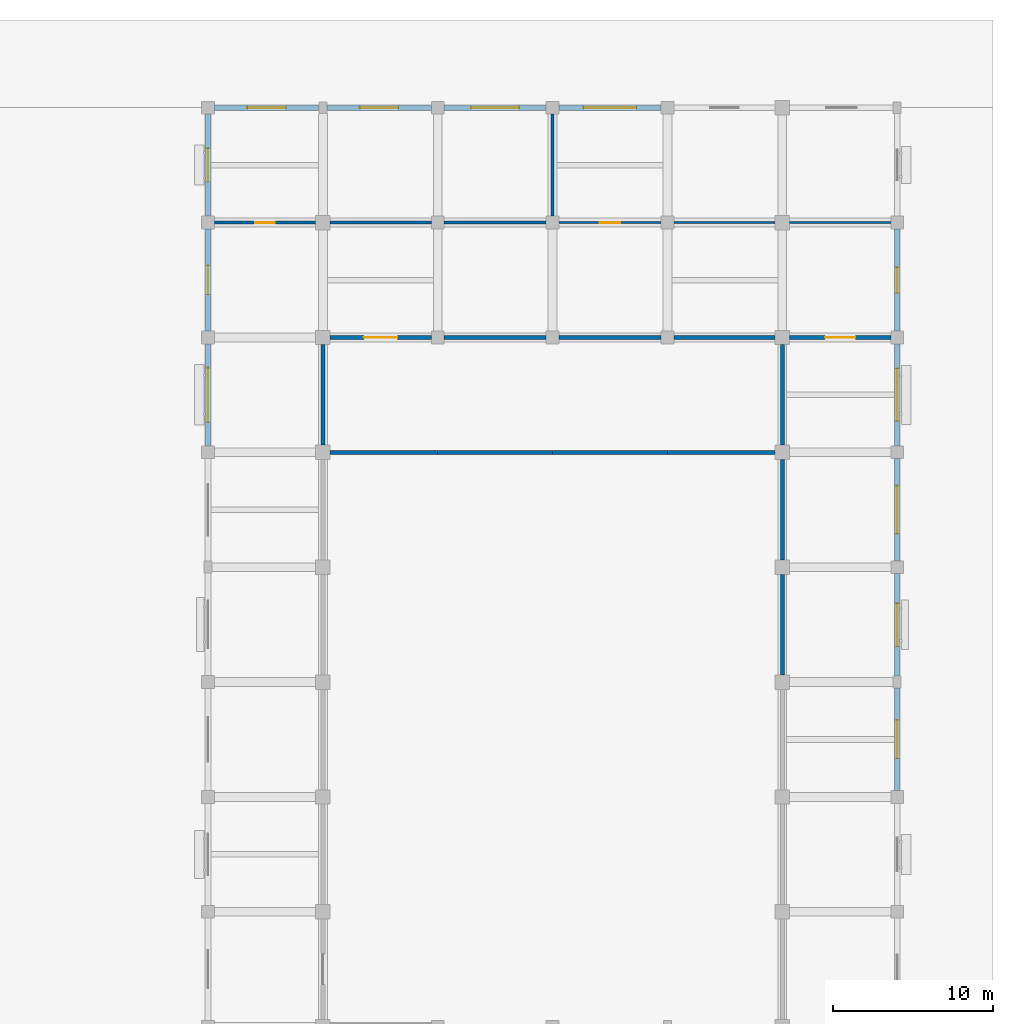
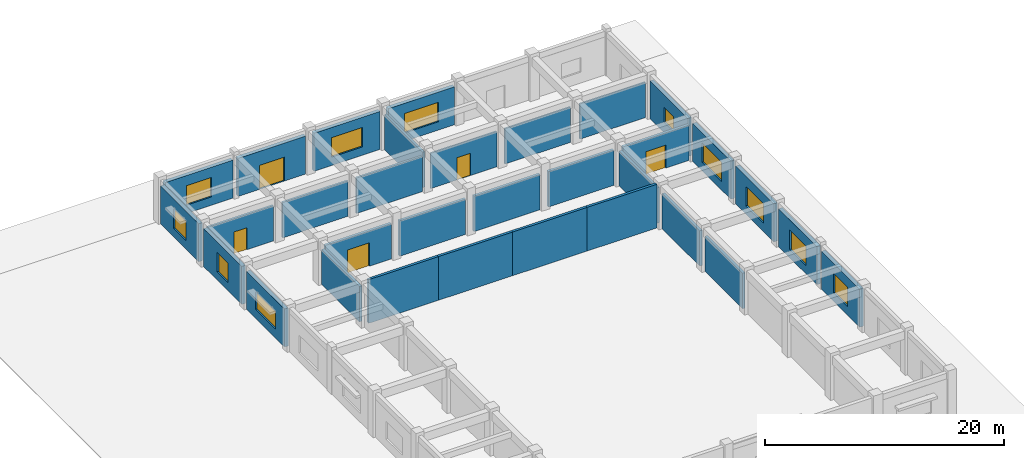
# One storey, part 20 of 37: 32 walls, 11 windows, 5 doors, 16 openings.
"""IFC4 building model written with IfcOpenShell, lengths in metres."""

from ifc_helpers import new_model, si_unit, direction, frame, frame_2d, origin, place, context, subcontext, project, spatial, rectangle, extrude, material, layer, layer_set, type_object, element, fill, save


model = new_model("IFC4")

# Units and contexts
model_context = context("Model", 3, precision=1e-05, world=origin(), true_north=direction((0.0, 1.0)))
body_context = subcontext(model_context, "Body", "Model", "MODEL_VIEW")
ifc_project = project(units=[si_unit("LENGTHUNIT", "METRE"), si_unit("AREAUNIT", "SQUARE_METRE"), si_unit("VOLUMEUNIT", "CUBIC_METRE"), si_unit("PLANEANGLEUNIT", "RADIAN"), si_unit("MASSUNIT", "GRAM", prefix="KILO")], contexts=[model_context])

# Site, building, storey
site_placement = place(None, origin())
site = spatial("IfcSite", under=ifc_project, at=site_placement, CompositionType="ELEMENT")
building_placement = place(site_placement, origin())
building = spatial("IfcBuilding", under=site, at=building_placement, Name="Cendaluz Park School", CompositionType="ELEMENT")
storey_placement = place(building_placement, origin())
storey = spatial("IfcBuildingStorey", under=building, at=storey_placement, Name="L00", CompositionType="ELEMENT", Elevation=0.0)

# Wall, opening, door
ifc_material_1 = material(Name="Gypsum Plasterboard on Cold-Formed Stud", Category="gypsum")
ifc_layer_1 = layer(ifc_material_1, 0.199951171875)
ifc_layer_set_1 = layer_set([ifc_layer_1], Name="Gypsum Plasterboard on Cold-Formed Stud")
wall_type_1 = type_object("IfcWallType", Name="W-AC20", PredefinedType="PARTITIONING", material=ifc_layer_set_1)
wall_1_placement = place(storey_placement, frame((130.0, 108.0, 0.0), z_axis=(0.0, 0.0, 1.0), x_axis=(1.0, 0.0, 0.0)))
wall_1 = element("IfcWall", 1, at=wall_1_placement, inside=storey, type_object=wall_type_1, Name="WL-FA-CC5", PredefinedType="PARTITIONING", context=body_context, shape_type="SweptSolid", body=[
    extrude(rectangle(XDim=6.35009765625, YDim=0.199951171875, at=frame_2d((3.175048828125, 0.0))), origin(), (0.0, 0.0, 1.0), 3.6201171875),
])
opening_1_placement = place(wall_1_placement, frame((2.554931640625, 0.0, 0.0)))
opening_1 = element("IfcOpeningElement", 2, at=opening_1_placement, cuts=wall_1, Name="Opening DCL-09", PredefinedType="OPENING", context=body_context, shape_type="SweptSolid", body=[
    extrude(rectangle(XDim=1.239990234375, YDim=2.260009765625, at=frame_2d((0.6201171875, 1.1298828125))), frame((0.0, 0.112060546875, 0.0), z_axis=(0.0, -1.0, 0.0), x_axis=(1.0, 0.0, 0.0)), (0.0, 0.0, 1.0), 0.223876953125),
])
ifc_material_2 = material(Name="Solid Core Hardwood", Category="wood")
door_type_1 = type_object("IfcDoorType", Name="DCL-09", OperationType="NOTDEFINED", PredefinedType="DOOR", material=ifc_material_2)
door_1_placement = place(opening_1_placement, origin())
door_1 = element("IfcDoor", 3, at=door_1_placement, inside=storey, type_object=door_type_1, Name="D-L00-071", OperationType="SINGLE_SWING_RIGHT", OverallHeight=2.260009765625, OverallWidth=1.239990234375, PredefinedType="DOOR", context=body_context, shape_type="SweptSolid", body=[
    extrude(rectangle(XDim=1.239990234375, YDim=2.260009765625, at=frame_2d((0.6201171875, 1.1298828125))), frame((0.0, 0.02490234375, 0.0), z_axis=(0.0, -1.0, 0.0), x_axis=(1.0, 0.0, 0.0)), (0.0, 0.0, 1.0), 0.050048828125),
])
fill(opening_1, door_1)

# Walls
wall_2_placement = place(storey_placement, frame((137.25, 108.0, 0.0), z_axis=(0.0, 0.0, 1.0), x_axis=(1.0, 0.0, 0.0)))
element("IfcWall", 4, at=wall_2_placement, inside=storey, type_object=wall_type_1, Name="WL-FA-CC6", PredefinedType="PARTITIONING", context=body_context, shape_type="SweptSolid", body=[
    extrude(rectangle(XDim=6.35009765625, YDim=0.199951171875, at=frame_2d((3.175048828125, 0.0))), origin(), (0.0, 0.0, 1.0), 3.6201171875),
])
for number, where, z_axis, x_axis, name in (
    (5, (144.39990234375, 108.0, 0.0), (0.0, 0.0, 1.0), (1.0, 0.0, 0.0), "WL-FA-CC7"),
    (6, (151.199951171875, 108.39990234375, 0.0), (0.0, 0.0, 1.0), (0.0, 1.0, 0.0), "WL-FA-CC8"),
):
    element("IfcWall", number, at=place(storey_placement, frame(where, z_axis=z_axis, x_axis=x_axis)), inside=storey, type_object=wall_type_1, Name=name, PredefinedType="PARTITIONING", context=body_context, shape_type="SweptSolid", body=[
        extrude(rectangle(XDim=6.400146484375, YDim=0.199951171875, at=frame_2d((3.2001953125, 0.0))), origin(), (0.0, 0.0, 1.0), 3.6201171875),
    ])
ifc_layer_2 = layer(ifc_material_1, 0.25)
ifc_layer_set_2 = layer_set([ifc_layer_2], Name="Gypsum Plasterboard on Cold-Formed Stud")
wall_type_2 = type_object("IfcWallType", Name="W-CP25", PredefinedType="PARTITIONING", material=ifc_layer_set_2)
wall_3_placement = place(storey_placement, frame((137.25, 93.60009765625, 0.0), z_axis=(0.0, 0.0, 1.0), x_axis=(1.0, 0.0, 0.0)))
element("IfcWall", 7, at=wall_3_placement, inside=storey, type_object=wall_type_2, Name="WL-FA-CA8", PredefinedType="PARTITIONING", context=body_context, shape_type="SweptSolid", body=[
    extrude(rectangle(XDim=6.75, YDim=0.25, at=frame_2d((3.375, 0.0))), origin(), (0.0, 0.0, 1.0), 4.469970703125),
])
for number, where, z_axis, x_axis, name in (
    (8, (144.0, 93.60009765625, 0.0), (0.0, 0.0, 1.0), (1.0, 0.0, 0.0), "WL-FA-CB0"),
    (9, (151.199951171875, 93.60009765625, 0.0), (0.0, 0.0, 1.0), (1.0, 0.0, 0.0), "WL-FA-CB1"),
):
    element("IfcWall", number, at=place(storey_placement, frame(where, z_axis=z_axis, x_axis=x_axis)), inside=storey, type_object=wall_type_2, Name=name, PredefinedType="PARTITIONING", context=body_context, shape_type="SweptSolid", body=[
        extrude(rectangle(XDim=7.199951171875, YDim=0.25, at=frame_2d((3.60009765625, 0.0))), origin(), (0.0, 0.0, 1.0), 4.469970703125),
    ])
wall_4_placement = place(storey_placement, frame((165.60009765625, 79.64990234375, 0.0), z_axis=(0.0, 0.0, 1.0), x_axis=(0.0, 1.0, 0.0)))
element("IfcWall", 10, at=wall_4_placement, inside=storey, type_object=wall_type_2, Name="WL-FA-CB5", PredefinedType="PARTITIONING", context=body_context, shape_type="SweptSolid", body=[
    extrude(rectangle(XDim=6.300048828125, YDim=0.25, at=frame_2d((3.14990234375, 0.0))), origin(), (0.0, 0.0, 1.0), 3.6201171875),
])
wall_5_placement = place(storey_placement, frame((158.39990234375, 93.60009765625, 0.0), z_axis=(0.0, 0.0, 1.0), x_axis=(1.0, 0.0, 0.0)))
element("IfcWall", 11, at=wall_5_placement, inside=storey, type_object=wall_type_2, Name="WL-FA-CB6", PredefinedType="PARTITIONING", context=body_context, shape_type="SweptSolid", body=[
    extrude(rectangle(XDim=6.75, YDim=0.25, at=frame_2d((3.375, 0.0))), origin(), (0.0, 0.0, 1.0), 4.469970703125),
])
wall_6_placement = place(storey_placement, frame((165.60009765625, 86.85009765625, 0.0), z_axis=(0.0, 0.0, 1.0), x_axis=(0.0, 1.0, 0.0)))
element("IfcWall", 12, at=wall_6_placement, inside=storey, type_object=wall_type_2, Name="WL-FA-CB7", PredefinedType="PARTITIONING", context=body_context, shape_type="SweptSolid", body=[
    extrude(rectangle(XDim=6.2998046875, YDim=0.25, at=frame_2d((3.14990234375, 0.0))), origin(), (0.0, 0.0, 1.0), 3.6201171875),
])

# Wall, opening, door
wall_7_placement = place(storey_placement, frame((137.25, 100.800048828125, 0.0), z_axis=(0.0, 0.0, 1.0), x_axis=(1.0, 0.0, 0.0)))
wall_7 = element("IfcWall", 13, at=wall_7_placement, inside=storey, type_object=wall_type_2, Name="WL-FA-CB8", PredefinedType="PARTITIONING", context=body_context, shape_type="SweptSolid", body=[
    extrude(rectangle(XDim=6.35009765625, YDim=0.25, at=frame_2d((3.175048828125, 0.0))), origin(), (0.0, 0.0, 1.0), 3.6201171875),
])
opening_2_placement = place(wall_7_placement, frame((2.125, 0.0, 0.0)))
opening_2 = element("IfcOpeningElement", 14, at=opening_2_placement, cuts=wall_7, Name="Opening DHL-02", PredefinedType="OPENING", context=body_context, shape_type="SweptSolid", body=[
    extrude(rectangle(XDim=2.10009765625, YDim=2.39990234375, at=frame_2d((1.050048828125, 1.199951171875))), frame((0.0, 0.136962890625, 0.0), z_axis=(0.0, -1.0, 0.0), x_axis=(1.0, 0.0, 0.0)), (0.0, 0.0, 1.0), 0.27392578125),
])
door_type_2 = type_object("IfcDoorType", Name="DHL-02", OperationType="DOUBLE_DOOR_SINGLE_SWING", PredefinedType="DOOR", material=ifc_material_2)
door_2_placement = place(opening_2_placement, origin())
door_2 = element("IfcDoor", 15, at=door_2_placement, inside=storey, type_object=door_type_2, Name="D-L00-069", OperationType="DOUBLE_DOOR_SINGLE_SWING", OverallHeight=2.39990234375, OverallWidth=2.10009765625, PredefinedType="DOOR", context=body_context, shape_type="SweptSolid", body=[
    extrude(rectangle(XDim=2.10009765625, YDim=2.39990234375, at=frame_2d((1.050048828125, 1.199951171875))), frame((0.0, 0.02490234375, 0.0), z_axis=(0.0, -1.0, 0.0), x_axis=(1.0, 0.0, 0.0)), (0.0, 0.0, 1.0), 0.050048828125),
])
fill(opening_2, door_2)

# Walls
wall_8_placement = place(storey_placement, frame((136.800048828125, 94.050048828125, 0.0), z_axis=(0.0, 0.0, 1.0), x_axis=(0.0, 1.0, 0.0)))
element("IfcWall", 16, at=wall_8_placement, inside=storey, type_object=wall_type_2, Name="WL-FA-CB9", PredefinedType="PARTITIONING", context=body_context, shape_type="SweptSolid", body=[
    extrude(rectangle(XDim=6.300048828125, YDim=0.25, at=frame_2d((3.14990234375, 0.0))), origin(), (0.0, 0.0, 1.0), 3.6201171875),
])
wall_9_placement = place(storey_placement, frame((144.39990234375, 100.800048828125, 0.0), z_axis=(0.0, 0.0, 1.0), x_axis=(1.0, 0.0, 0.0)))
element("IfcWall", 17, at=wall_9_placement, inside=storey, type_object=wall_type_2, Name="WL-FA-CC0", PredefinedType="PARTITIONING", context=body_context, shape_type="SweptSolid", body=[
    extrude(rectangle(XDim=6.400146484375, YDim=0.25, at=frame_2d((3.2001953125, 0.0))), origin(), (0.0, 0.0, 1.0), 3.6201171875),
])
wall_10_placement = place(storey_placement, frame((151.60009765625, 100.800048828125, 0.0), z_axis=(0.0, 0.0, 1.0), x_axis=(1.0, 0.0, 0.0)))
element("IfcWall", 18, at=wall_10_placement, inside=storey, type_object=wall_type_2, Name="WL-FA-CC1", PredefinedType="PARTITIONING", context=body_context, shape_type="SweptSolid", body=[
    extrude(rectangle(XDim=6.39990234375, YDim=0.25, at=frame_2d((3.199951171875, 0.0))), origin(), (0.0, 0.0, 1.0), 3.6201171875),
])
wall_11_placement = place(storey_placement, frame((158.800048828125, 100.800048828125, 0.0), z_axis=(0.0, 0.0, 1.0), x_axis=(1.0, 0.0, 0.0)))
element("IfcWall", 19, at=wall_11_placement, inside=storey, type_object=wall_type_2, Name="WL-FA-CC2", PredefinedType="PARTITIONING", context=body_context, shape_type="SweptSolid", body=[
    extrude(rectangle(XDim=6.349853515625, YDim=0.25, at=frame_2d((3.1748046875, 0.0))), origin(), (0.0, 0.0, 1.0), 3.6201171875),
])
wall_12_placement = place(storey_placement, frame((165.60009765625, 94.050048828125, 0.0), z_axis=(0.0, 0.0, 1.0), x_axis=(0.0, 1.0, 0.0)))
element("IfcWall", 20, at=wall_12_placement, inside=storey, type_object=wall_type_2, Name="WL-FA-CC3", PredefinedType="PARTITIONING", context=body_context, shape_type="SweptSolid", body=[
    extrude(rectangle(XDim=6.300048828125, YDim=0.25, at=frame_2d((3.14990234375, 0.0))), origin(), (0.0, 0.0, 1.0), 3.6201171875),
])

# Wall, opening, door
wall_13_placement = place(storey_placement, frame((166.050048828125, 100.800048828125, 0.0), z_axis=(0.0, 0.0, 1.0), x_axis=(1.0, 0.0, 0.0)))
wall_13 = element("IfcWall", 21, at=wall_13_placement, inside=storey, type_object=wall_type_2, Name="WL-FA-CC4", PredefinedType="PARTITIONING", context=body_context, shape_type="SweptSolid", body=[
    extrude(rectangle(XDim=6.349853515625, YDim=0.25, at=frame_2d((3.1748046875, 0.0))), origin(), (0.0, 0.0, 1.0), 3.6201171875),
])
opening_3_placement = place(wall_13_placement, frame((2.22509765625, 0.0, 0.0)))
opening_3 = element("IfcOpeningElement", 22, at=opening_3_placement, cuts=wall_13, Name="Opening DHL-01", PredefinedType="OPENING", context=body_context, shape_type="SweptSolid", body=[
    extrude(rectangle(XDim=1.89990234375, YDim=2.35009765625, at=frame_2d((0.949951171875, 1.175048828125))), frame((0.0, 0.136962890625, 0.0), z_axis=(0.0, -1.0, 0.0), x_axis=(1.0, 0.0, 0.0)), (0.0, 0.0, 1.0), 0.27392578125),
])
door_type_3 = type_object("IfcDoorType", Name="DHL-01", OperationType="DOUBLE_DOOR_SINGLE_SWING", PredefinedType="DOOR", material=ifc_material_2)
door_3_placement = place(opening_3_placement, origin())
door_3 = element("IfcDoor", 23, at=door_3_placement, inside=storey, type_object=door_type_3, Name="D-L00-070", OperationType="DOUBLE_DOOR_SINGLE_SWING", OverallHeight=2.35009765625, OverallWidth=1.89990234375, PredefinedType="DOOR", context=body_context, shape_type="SweptSolid", body=[
    extrude(rectangle(XDim=1.89990234375, YDim=2.35009765625, at=frame_2d((0.949951171875, 1.175048828125))), frame((0.0, 0.02490234375, 0.0), z_axis=(0.0, -1.0, 0.0), x_axis=(1.0, 0.0, 0.0)), (0.0, 0.0, 1.0), 0.050048828125),
])
fill(opening_3, door_3)

# Wall, opening, window
ifc_material_3 = material(Name="Concrete C40/50 precast", Category="concrete")
ifc_layer_3 = layer(ifc_material_3, 0.360107421875)
ifc_layer_set_3 = layer_set([ifc_layer_3], Name="Concrete C40/50 precast")
wall_type_3 = type_object("IfcWallType", Name="W-EX36", PredefinedType="SOLIDWALL", material=ifc_layer_set_3)
wall_14_placement = place(storey_placement, frame((129.60009765625, 94.0, 0.0), z_axis=(0.0, 0.0, 1.0), x_axis=(0.0, 1.0, 0.0)))
wall_14 = element("IfcWall", 24, at=wall_14_placement, inside=storey, type_object=wall_type_3, Name="WL-FA-AJ2", PredefinedType="SOLIDWALL", context=body_context, shape_type="SweptSolid", body=[
    extrude(rectangle(XDim=6.39990234375, YDim=0.360107421875, at=frame_2d((3.199951171875, 0.0))), origin(), (0.0, 0.0, 1.0), 3.889892578125),
])
opening_4_placement = place(wall_14_placement, frame((1.5, 0.0, 0.89990234375)))
opening_4 = element("IfcOpeningElement", 25, at=opening_4_placement, cuts=wall_14, Name="Opening WN-09", PredefinedType="OPENING", context=body_context, shape_type="SweptSolid", body=[
    extrude(rectangle(XDim=3.39990234375, YDim=1.800048828125, at=frame_2d((1.699951171875, 0.89990234375))), frame((0.0, 0.192138671875, 0.0), z_axis=(0.0, -1.0, 0.0), x_axis=(1.0, 0.0, 0.0)), (0.0, 0.0, 1.0), 0.384033203125),
])
ifc_material_4 = material(Name="Tempered Low-E Double Glazing", Category="glass")
window_type_1 = type_object("IfcWindowType", Name="WN-09", PartitioningType="SINGLE_PANEL", PredefinedType="WINDOW", material=ifc_material_4)
window_1_placement = place(opening_4_placement, origin())
window_1 = element("IfcWindow", 26, at=window_1_placement, inside=storey, type_object=window_type_1, Name="WN-L00-072", OverallHeight=1.800048828125, OverallWidth=3.39990234375, PartitioningType="SINGLE_PANEL", PredefinedType="WINDOW", context=body_context, shape_type="SweptSolid", body=[
    extrude(rectangle(XDim=3.39990234375, YDim=1.800048828125, at=frame_2d((1.699951171875, 0.89990234375))), frame((0.0, 0.030029296875, 0.0), z_axis=(0.0, -1.0, 0.0), x_axis=(1.0, 0.0, 0.0)), (0.0, 0.0, 1.0), 0.06005859375),
])
fill(opening_4, window_1)

wall_15_placement = place(storey_placement, frame((129.60009765625, 101.199951171875, 0.0), z_axis=(0.0, 0.0, 1.0), x_axis=(0.0, 1.0, 0.0)))
wall_15 = element("IfcWall", 27, at=wall_15_placement, inside=storey, type_object=wall_type_3, Name="WL-FA-AJ3", PredefinedType="SOLIDWALL", context=body_context, shape_type="SweptSolid", body=[
    extrude(rectangle(XDim=6.400146484375, YDim=0.360107421875, at=frame_2d((3.2001953125, 0.0))), origin(), (0.0, 0.0, 1.0), 3.889892578125),
])
opening_5_placement = place(wall_15_placement, frame((2.300048828125, 0.0, 0.85009765625)))
opening_5 = element("IfcOpeningElement", 28, at=opening_5_placement, cuts=wall_15, Name="Opening WN-10", PredefinedType="OPENING", context=body_context, shape_type="SweptSolid", body=[
    extrude(rectangle(XDim=1.800048828125, YDim=2.0, at=frame_2d((0.89990234375, 1.0))), frame((0.0, 0.192138671875, 0.0), z_axis=(0.0, -1.0, 0.0), x_axis=(1.0, 0.0, 0.0)), (0.0, 0.0, 1.0), 0.384033203125),
])
window_type_2 = type_object("IfcWindowType", Name="WN-10", PartitioningType="SINGLE_PANEL", PredefinedType="WINDOW", material=ifc_material_4)
window_2_placement = place(opening_5_placement, origin())
window_2 = element("IfcWindow", 29, at=window_2_placement, inside=storey, type_object=window_type_2, Name="WN-L00-073", OverallHeight=2.0, OverallWidth=1.800048828125, PartitioningType="SINGLE_PANEL", PredefinedType="WINDOW", context=body_context, shape_type="SweptSolid", body=[
    extrude(rectangle(XDim=1.800048828125, YDim=2.0, at=frame_2d((0.89990234375, 1.0))), frame((0.0, 0.030029296875, 0.0), z_axis=(0.0, -1.0, 0.0), x_axis=(1.0, 0.0, 0.0)), (0.0, 0.0, 1.0), 0.06005859375),
])
fill(opening_5, window_2)

wall_16_placement = place(storey_placement, frame((130.0, 115.199951171875, 0.0), z_axis=(0.0, 0.0, 1.0), x_axis=(1.0, 0.0, 0.0)))
wall_16 = element("IfcWall", 30, at=wall_16_placement, inside=storey, type_object=wall_type_3, Name="WL-FA-AJ4", PredefinedType="SOLIDWALL", context=body_context, shape_type="SweptSolid", body=[
    extrude(rectangle(XDim=6.550048828125, YDim=0.360107421875, at=frame_2d((3.27490234375, 0.0))), origin(), (0.0, 0.0, 1.0), 3.889892578125),
])
opening_6_placement = place(wall_16_placement, frame((2.074951171875, 0.0, 0.85009765625)))
opening_6 = element("IfcOpeningElement", 31, at=opening_6_placement, cuts=wall_16, Name="Opening WN-12", PredefinedType="OPENING", context=body_context, shape_type="SweptSolid", body=[
    extrude(rectangle(XDim=2.39990234375, YDim=2.0, at=frame_2d((1.199951171875, 1.0))), frame((0.0, 0.192138671875, 0.0), z_axis=(0.0, -1.0, 0.0), x_axis=(1.0, 0.0, 0.0)), (0.0, 0.0, 1.0), 0.384033203125),
])
window_type_3 = type_object("IfcWindowType", Name="WN-12", PartitioningType="SINGLE_PANEL", PredefinedType="WINDOW", material=ifc_material_4)
window_3_placement = place(opening_6_placement, origin())
window_3 = element("IfcWindow", 32, at=window_3_placement, inside=storey, type_object=window_type_3, Name="WN-L00-074", OverallHeight=2.0, OverallWidth=2.39990234375, PartitioningType="SINGLE_PANEL", PredefinedType="WINDOW", context=body_context, shape_type="SweptSolid", body=[
    extrude(rectangle(XDim=2.39990234375, YDim=2.0, at=frame_2d((1.199951171875, 1.0))), frame((0.0, 0.030029296875, 0.0), z_axis=(0.0, -1.0, 0.0), x_axis=(1.0, 0.0, 0.0)), (0.0, 0.0, 1.0), 0.06005859375),
])
fill(opening_6, window_3)

wall_17_placement = place(storey_placement, frame((129.60009765625, 108.39990234375, 0.0), z_axis=(0.0, 0.0, 1.0), x_axis=(0.0, 1.0, 0.0)))
wall_17 = element("IfcWall", 33, at=wall_17_placement, inside=storey, type_object=wall_type_3, Name="WL-FA-AJ5", PredefinedType="SOLIDWALL", context=body_context, shape_type="SweptSolid", body=[
    extrude(rectangle(XDim=6.400146484375, YDim=0.360107421875, at=frame_2d((3.2001953125, 0.0))), origin(), (0.0, 0.0, 1.0), 3.889892578125),
])
opening_7_placement = place(wall_17_placement, frame((2.14990234375, 0.0, 0.85009765625)))
opening_7 = element("IfcOpeningElement", 34, at=opening_7_placement, cuts=wall_17, Name="Opening WN-11", PredefinedType="OPENING", context=body_context, shape_type="SweptSolid", body=[
    extrude(rectangle(XDim=2.10009765625, YDim=2.0, at=frame_2d((1.050048828125, 1.0))), frame((0.0, 0.192138671875, 0.0), z_axis=(0.0, -1.0, 0.0), x_axis=(1.0, 0.0, 0.0)), (0.0, 0.0, 1.0), 0.384033203125),
])
window_type_4 = type_object("IfcWindowType", Name="WN-11", PartitioningType="SINGLE_PANEL", PredefinedType="WINDOW", material=ifc_material_4)
window_4_placement = place(opening_7_placement, origin())
window_4 = element("IfcWindow", 35, at=window_4_placement, inside=storey, type_object=window_type_4, Name="WN-L00-075", OverallHeight=2.0, OverallWidth=2.10009765625, PartitioningType="SINGLE_PANEL", PredefinedType="WINDOW", context=body_context, shape_type="SweptSolid", body=[
    extrude(rectangle(XDim=2.10009765625, YDim=2.0, at=frame_2d((1.050048828125, 1.0))), frame((0.0, 0.030029296875, 0.0), z_axis=(0.0, -1.0, 0.0), x_axis=(1.0, 0.0, 0.0)), (0.0, 0.0, 1.0), 0.06005859375),
])
fill(opening_7, window_4)

# Wall, opening, door
wall_18_placement = place(storey_placement, frame((137.050048828125, 115.199951171875, 0.0), z_axis=(0.0, 0.0, 1.0), x_axis=(1.0, 0.0, 0.0)))
wall_18 = element("IfcWall", 36, at=wall_18_placement, inside=storey, type_object=wall_type_3, Name="WL-FA-AJ9", PredefinedType="SOLIDWALL", context=body_context, shape_type="SweptSolid", body=[
    extrude(rectangle(XDim=6.550048828125, YDim=0.360107421875, at=frame_2d((3.27490234375, 0.0))), origin(), (0.0, 0.0, 1.0), 3.889892578125),
])
opening_8_placement = place(wall_18_placement, frame((2.074951171875, 0.0, 0.0)))
opening_8 = element("IfcOpeningElement", 37, at=opening_8_placement, cuts=wall_18, Name="Opening DEX-04", PredefinedType="OPENING", context=body_context, shape_type="SweptSolid", body=[
    extrude(rectangle(XDim=2.39990234375, YDim=2.449951171875, at=frame_2d((1.199951171875, 1.22509765625))), frame((0.0, 0.192138671875, 0.0), z_axis=(0.0, -1.0, 0.0), x_axis=(1.0, 0.0, 0.0)), (0.0, 0.0, 1.0), 0.384033203125),
])
ifc_material_5 = material(Name="Architectural Bronze")
door_type_4 = type_object("IfcDoorType", Name="DEX-04", OperationType="DOUBLE_DOOR_SINGLE_SWING", PredefinedType="DOOR", material=ifc_material_5)
door_4_placement = place(opening_8_placement, origin())
door_4 = element("IfcDoor", 38, at=door_4_placement, inside=storey, type_object=door_type_4, Name="D-L00-023", OperationType="DOUBLE_DOOR_SINGLE_SWING", OverallHeight=2.449951171875, OverallWidth=2.39990234375, PredefinedType="DOOR", context=body_context, shape_type="SweptSolid", body=[
    extrude(rectangle(XDim=2.39990234375, YDim=2.449951171875, at=frame_2d((1.199951171875, 1.22509765625))), frame((0.0, 0.02490234375, 0.0), z_axis=(0.0, -1.0, 0.0), x_axis=(1.0, 0.0, 0.0)), (0.0, 0.0, 1.0), 0.050048828125),
])
fill(opening_8, door_4)

# Wall, opening, window
wall_19_placement = place(storey_placement, frame((144.39990234375, 115.199951171875, 0.0), z_axis=(0.0, 0.0, 1.0), x_axis=(1.0, 0.0, 0.0)))
wall_19 = element("IfcWall", 39, at=wall_19_placement, inside=storey, type_object=wall_type_3, Name="WL-FA-AK3", PredefinedType="SOLIDWALL", context=body_context, shape_type="SweptSolid", body=[
    extrude(rectangle(XDim=6.400146484375, YDim=0.360107421875, at=frame_2d((3.2001953125, 0.0))), origin(), (0.0, 0.0, 1.0), 3.889892578125),
])
opening_9_placement = place(wall_19_placement, frame((1.699951171875, 0.0, 0.85009765625)))
opening_9 = element("IfcOpeningElement", 40, at=opening_9_placement, cuts=wall_19, Name="Opening WN-14", PredefinedType="OPENING", context=body_context, shape_type="SweptSolid", body=[
    extrude(rectangle(XDim=3.0, YDim=2.0, at=frame_2d((1.5, 1.0))), frame((0.0, 0.192138671875, 0.0), z_axis=(0.0, -1.0, 0.0), x_axis=(1.0, 0.0, 0.0)), (0.0, 0.0, 1.0), 0.384033203125),
])
window_type_5 = type_object("IfcWindowType", Name="WN-14", PartitioningType="SINGLE_PANEL", PredefinedType="WINDOW", material=ifc_material_4)
window_5_placement = place(opening_9_placement, origin())
window_5 = element("IfcWindow", 41, at=window_5_placement, inside=storey, type_object=window_type_5, Name="WN-L00-081", OverallHeight=2.0, OverallWidth=3.0, PartitioningType="SINGLE_PANEL", PredefinedType="WINDOW", context=body_context, shape_type="SweptSolid", body=[
    extrude(rectangle(XDim=3.0, YDim=2.0, at=frame_2d((1.5, 1.0))), frame((0.0, 0.030029296875, 0.0), z_axis=(0.0, -1.0, 0.0), x_axis=(1.0, 0.0, 0.0)), (0.0, 0.0, 1.0), 0.06005859375),
])
fill(opening_9, window_5)

wall_20_placement = place(storey_placement, frame((151.60009765625, 115.199951171875, 0.0), z_axis=(0.0, 0.0, 1.0), x_axis=(1.0, 0.0, 0.0)))
wall_20 = element("IfcWall", 42, at=wall_20_placement, inside=storey, type_object=wall_type_3, Name="WL-FA-AK7", PredefinedType="SOLIDWALL", context=body_context, shape_type="SweptSolid", body=[
    extrude(rectangle(XDim=6.39990234375, YDim=0.360107421875, at=frame_2d((3.199951171875, 0.0))), origin(), (0.0, 0.0, 1.0), 3.889892578125),
])
opening_10_placement = place(wall_20_placement, frame((1.550048828125, 0.0, 0.85009765625)))
opening_10 = element("IfcOpeningElement", 43, at=opening_10_placement, cuts=wall_20, Name="Opening WN-15", PredefinedType="OPENING", context=body_context, shape_type="SweptSolid", body=[
    extrude(rectangle(XDim=3.300048828125, YDim=2.0, at=frame_2d((1.64990234375, 1.0))), frame((0.0, 0.192138671875, 0.0), z_axis=(0.0, -1.0, 0.0), x_axis=(1.0, 0.0, 0.0)), (0.0, 0.0, 1.0), 0.384033203125),
])
window_type_6 = type_object("IfcWindowType", Name="WN-15", PartitioningType="SINGLE_PANEL", PredefinedType="WINDOW", material=ifc_material_4)
window_6_placement = place(opening_10_placement, origin())
window_6 = element("IfcWindow", 44, at=window_6_placement, inside=storey, type_object=window_type_6, Name="WN-L00-083", OverallHeight=2.0, OverallWidth=3.300048828125, PartitioningType="SINGLE_PANEL", PredefinedType="WINDOW", context=body_context, shape_type="SweptSolid", body=[
    extrude(rectangle(XDim=3.300048828125, YDim=2.0, at=frame_2d((1.64990234375, 1.0))), frame((0.0, 0.030029296875, 0.0), z_axis=(0.0, -1.0, 0.0), x_axis=(1.0, 0.0, 0.0)), (0.0, 0.0, 1.0), 0.06005859375),
])
fill(opening_10, window_6)

wall_21_placement = place(storey_placement, frame((172.800048828125, 72.39990234375, 0.0), z_axis=(0.0, 0.0, 1.0), x_axis=(0.0, 1.0, 0.0)))
wall_21 = element("IfcWall", 45, at=wall_21_placement, inside=storey, type_object=wall_type_3, Name="WL-FA-AM1", PredefinedType="SOLIDWALL", context=body_context, shape_type="SweptSolid", body=[
    extrude(rectangle(XDim=6.425048828125, YDim=0.360107421875, at=frame_2d((3.21240234375, 0.0))), origin(), (0.0, 0.0, 1.0), 3.889892578125),
])
opening_11_placement = place(wall_21_placement, frame((2.012451171875, 0.0, 0.85009765625)))
opening_11 = element("IfcOpeningElement", 46, at=opening_11_placement, cuts=wall_21, Name="Opening WN-12", PredefinedType="OPENING", context=body_context, shape_type="SweptSolid", body=[
    extrude(rectangle(XDim=2.39990234375, YDim=2.0, at=frame_2d((1.199951171875, 1.0))), frame((0.0, 0.192138671875, 0.0), z_axis=(0.0, -1.0, 0.0), x_axis=(1.0, 0.0, 0.0)), (0.0, 0.0, 1.0), 0.384033203125),
])
window_7_placement = place(opening_11_placement, origin())
window_7 = element("IfcWindow", 47, at=window_7_placement, inside=storey, type_object=window_type_3, Name="WN-L00-093", OverallHeight=2.0, OverallWidth=2.39990234375, PartitioningType="SINGLE_PANEL", PredefinedType="WINDOW", context=body_context, shape_type="SweptSolid", body=[
    extrude(rectangle(XDim=2.39990234375, YDim=2.0, at=frame_2d((1.199951171875, 1.0))), frame((0.0, 0.030029296875, 0.0), z_axis=(0.0, -1.0, 0.0), x_axis=(1.0, 0.0, 0.0)), (0.0, 0.0, 1.0), 0.06005859375),
])
fill(opening_11, window_7)

wall_22_placement = place(storey_placement, frame((172.800048828125, 79.574951171875, 0.0), z_axis=(0.0, 0.0, 1.0), x_axis=(0.0, 1.0, 0.0)))
wall_22 = element("IfcWall", 48, at=wall_22_placement, inside=storey, type_object=wall_type_3, Name="WL-FA-AM2", PredefinedType="SOLIDWALL", context=body_context, shape_type="SweptSolid", body=[
    extrude(rectangle(XDim=6.425048828125, YDim=0.360107421875, at=frame_2d((3.21240234375, 0.0))), origin(), (0.0, 0.0, 1.0), 3.889892578125),
])
opening_12_placement = place(wall_22_placement, frame((1.862548828125, 0.0, 0.85009765625)))
opening_12 = element("IfcOpeningElement", 49, at=opening_12_placement, cuts=wall_22, Name="Opening WN-13", PredefinedType="OPENING", context=body_context, shape_type="SweptSolid", body=[
    extrude(rectangle(XDim=2.699951171875, YDim=2.0, at=frame_2d((1.35009765625, 1.0))), frame((0.0, 0.192138671875, 0.0), z_axis=(0.0, -1.0, 0.0), x_axis=(1.0, 0.0, 0.0)), (0.0, 0.0, 1.0), 0.384033203125),
])
window_type_7 = type_object("IfcWindowType", Name="WN-13", PartitioningType="SINGLE_PANEL", PredefinedType="WINDOW", material=ifc_material_4)
window_8_placement = place(opening_12_placement, origin())
window_8 = element("IfcWindow", 50, at=window_8_placement, inside=storey, type_object=window_type_7, Name="WN-L00-094", OverallHeight=2.0, OverallWidth=2.699951171875, PartitioningType="SINGLE_PANEL", PredefinedType="WINDOW", context=body_context, shape_type="SweptSolid", body=[
    extrude(rectangle(XDim=2.699951171875, YDim=2.0, at=frame_2d((1.35009765625, 1.0))), frame((0.0, 0.030029296875, 0.0), z_axis=(0.0, -1.0, 0.0), x_axis=(1.0, 0.0, 0.0)), (0.0, 0.0, 1.0), 0.06005859375),
])
fill(opening_12, window_8)

wall_23_placement = place(storey_placement, frame((172.800048828125, 86.800048828125, 0.0), z_axis=(0.0, 0.0, 1.0), x_axis=(0.0, 1.0, 0.0)))
wall_23 = element("IfcWall", 51, at=wall_23_placement, inside=storey, type_object=wall_type_3, Name="WL-FA-AM3", PredefinedType="SOLIDWALL", context=body_context, shape_type="SweptSolid", body=[
    extrude(rectangle(XDim=6.39990234375, YDim=0.360107421875, at=frame_2d((3.199951171875, 0.0))), origin(), (0.0, 0.0, 1.0), 3.889892578125),
])
opening_13_placement = place(wall_23_placement, frame((1.699951171875, 0.0, 0.85009765625)))
opening_13 = element("IfcOpeningElement", 52, at=opening_13_placement, cuts=wall_23, Name="Opening WN-14", PredefinedType="OPENING", context=body_context, shape_type="SweptSolid", body=[
    extrude(rectangle(XDim=3.0, YDim=2.0, at=frame_2d((1.5, 1.0))), frame((0.0, 0.192138671875, 0.0), z_axis=(0.0, -1.0, 0.0), x_axis=(1.0, 0.0, 0.0)), (0.0, 0.0, 1.0), 0.384033203125),
])
window_9_placement = place(opening_13_placement, origin())
window_9 = element("IfcWindow", 53, at=window_9_placement, inside=storey, type_object=window_type_5, Name="WN-L00-095", OverallHeight=2.0, OverallWidth=3.0, PartitioningType="SINGLE_PANEL", PredefinedType="WINDOW", context=body_context, shape_type="SweptSolid", body=[
    extrude(rectangle(XDim=3.0, YDim=2.0, at=frame_2d((1.5, 1.0))), frame((0.0, 0.030029296875, 0.0), z_axis=(0.0, -1.0, 0.0), x_axis=(1.0, 0.0, 0.0)), (0.0, 0.0, 1.0), 0.06005859375),
])
fill(opening_13, window_9)

wall_24_placement = place(storey_placement, frame((172.800048828125, 94.0, 0.0), z_axis=(0.0, 0.0, 1.0), x_axis=(0.0, 1.0, 0.0)))
wall_24 = element("IfcWall", 54, at=wall_24_placement, inside=storey, type_object=wall_type_3, Name="WL-FA-AM4", PredefinedType="SOLIDWALL", context=body_context, shape_type="SweptSolid", body=[
    extrude(rectangle(XDim=6.39990234375, YDim=0.360107421875, at=frame_2d((3.199951171875, 0.0))), origin(), (0.0, 0.0, 1.0), 3.889892578125),
])
opening_14_placement = place(wall_24_placement, frame((1.550048828125, 0.0, 0.85009765625)))
opening_14 = element("IfcOpeningElement", 55, at=opening_14_placement, cuts=wall_24, Name="Opening WN-15", PredefinedType="OPENING", context=body_context, shape_type="SweptSolid", body=[
    extrude(rectangle(XDim=3.300048828125, YDim=2.0, at=frame_2d((1.64990234375, 1.0))), frame((0.0, 0.192138671875, 0.0), z_axis=(0.0, -1.0, 0.0), x_axis=(1.0, 0.0, 0.0)), (0.0, 0.0, 1.0), 0.384033203125),
])
window_10_placement = place(opening_14_placement, origin())
window_10 = element("IfcWindow", 56, at=window_10_placement, inside=storey, type_object=window_type_6, Name="WN-L00-096", OverallHeight=2.0, OverallWidth=3.300048828125, PartitioningType="SINGLE_PANEL", PredefinedType="WINDOW", context=body_context, shape_type="SweptSolid", body=[
    extrude(rectangle(XDim=3.300048828125, YDim=2.0, at=frame_2d((1.64990234375, 1.0))), frame((0.0, 0.030029296875, 0.0), z_axis=(0.0, -1.0, 0.0), x_axis=(1.0, 0.0, 0.0)), (0.0, 0.0, 1.0), 0.06005859375),
])
fill(opening_14, window_10)

wall_25_placement = place(storey_placement, frame((172.800048828125, 101.199951171875, 0.0), z_axis=(0.0, 0.0, 1.0), x_axis=(0.0, 1.0, 0.0)))
wall_25 = element("IfcWall", 57, at=wall_25_placement, inside=storey, type_object=wall_type_3, Name="WL-FA-AM5", PredefinedType="SOLIDWALL", context=body_context, shape_type="SweptSolid", body=[
    extrude(rectangle(XDim=6.400146484375, YDim=0.360107421875, at=frame_2d((3.2001953125, 0.0))), origin(), (0.0, 0.0, 1.0), 3.889892578125),
])
opening_15_placement = place(wall_25_placement, frame((2.39990234375, 0.0, 1.10009765625)))
opening_15 = element("IfcOpeningElement", 58, at=opening_15_placement, cuts=wall_25, Name="Opening WN-16", PredefinedType="OPENING", context=body_context, shape_type="SweptSolid", body=[
    extrude(rectangle(XDim=1.60009765625, YDim=1.5, at=frame_2d((0.800048828125, 0.75))), frame((0.0, 0.192138671875, 0.0), z_axis=(0.0, -1.0, 0.0), x_axis=(1.0, 0.0, 0.0)), (0.0, 0.0, 1.0), 0.384033203125),
])
window_type_8 = type_object("IfcWindowType", Name="WN-16", PartitioningType="SINGLE_PANEL", PredefinedType="WINDOW", material=ifc_material_4)
window_11_placement = place(opening_15_placement, origin())
window_11 = element("IfcWindow", 59, at=window_11_placement, inside=storey, type_object=window_type_8, Name="WN-L00-097", OverallHeight=1.5, OverallWidth=1.60009765625, PartitioningType="SINGLE_PANEL", PredefinedType="WINDOW", context=body_context, shape_type="SweptSolid", body=[
    extrude(rectangle(XDim=1.60009765625, YDim=1.5, at=frame_2d((0.800048828125, 0.75))), frame((0.0, 0.030029296875, 0.0), z_axis=(0.0, -1.0, 0.0), x_axis=(1.0, 0.0, 0.0)), (0.0, 0.0, 1.0), 0.06005859375),
])
fill(opening_15, window_11)

# Wall, opening, door
ifc_layer_4 = layer(ifc_material_1, 0.139892578125)
ifc_layer_set_4 = layer_set([ifc_layer_4], Name="Gypsum Plasterboard on Cold-Formed Stud")
wall_type_4 = type_object("IfcWallType", Name="W-ST14", PredefinedType="PARTITIONING", material=ifc_layer_set_4)
wall_26_placement = place(storey_placement, frame((151.60009765625, 108.0, 0.0), z_axis=(0.0, 0.0, 1.0), x_axis=(1.0, 0.0, 0.0)))
wall_26 = element("IfcWall", 60, at=wall_26_placement, inside=storey, type_object=wall_type_4, Name="WL-FA-CC9", PredefinedType="PARTITIONING", context=body_context, shape_type="SweptSolid", body=[
    extrude(rectangle(XDim=6.39990234375, YDim=0.139892578125, at=frame_2d((3.199951171875, 0.0))), origin(), (0.0, 0.0, 1.0), 3.6201171875),
])
opening_16_placement = place(wall_26_placement, frame((2.56005859375, 0.0, 0.0)))
opening_16 = element("IfcOpeningElement", 61, at=opening_16_placement, cuts=wall_26, Name="Opening DCL-10", PredefinedType="OPENING", context=body_context, shape_type="SweptSolid", body=[
    extrude(rectangle(XDim=1.280029296875, YDim=2.280029296875, at=frame_2d((0.64013671875, 1.14013671875))), frame((0.0, 0.08203125, 0.0), z_axis=(0.0, -1.0, 0.0), x_axis=(1.0, 0.0, 0.0)), (0.0, 0.0, 1.0), 0.163818359375),
])
door_type_5 = type_object("IfcDoorType", Name="DCL-10", OperationType="NOTDEFINED", PredefinedType="DOOR", material=ifc_material_2)
door_5_placement = place(opening_16_placement, origin())
door_5 = element("IfcDoor", 62, at=door_5_placement, inside=storey, type_object=door_type_5, Name="D-L00-072", OperationType="SINGLE_SWING_LEFT", OverallHeight=2.280029296875, OverallWidth=1.280029296875, PredefinedType="DOOR", context=body_context, shape_type="SweptSolid", body=[
    extrude(rectangle(XDim=1.280029296875, YDim=2.280029296875, at=frame_2d((0.64013671875, 1.14013671875))), frame((0.0, 0.02490234375, 0.0), z_axis=(0.0, -1.0, 0.0), x_axis=(1.0, 0.0, 0.0)), (0.0, 0.0, 1.0), 0.050048828125),
])
fill(opening_16, door_5)

# Walls
for number, where, z_axis, x_axis, name in (
    (63, (158.800048828125, 108.0, 0.0), (0.0, 0.0, 1.0), (1.0, 0.0, 0.0), "WL-FA-CD0"),
    (64, (166.050048828125, 108.0, 0.0), (0.0, 0.0, 1.0), (1.0, 0.0, 0.0), "WL-FA-CD1"),
):
    element("IfcWall", number, at=place(storey_placement, frame(where, z_axis=z_axis, x_axis=x_axis)), inside=storey, type_object=wall_type_4, Name=name, PredefinedType="PARTITIONING", context=body_context, shape_type="SweptSolid", body=[
        extrude(rectangle(XDim=6.349853515625, YDim=0.139892578125, at=frame_2d((3.1748046875, 0.0))), origin(), (0.0, 0.0, 1.0), 3.6201171875),
    ])

save(model, "model.ifc")
